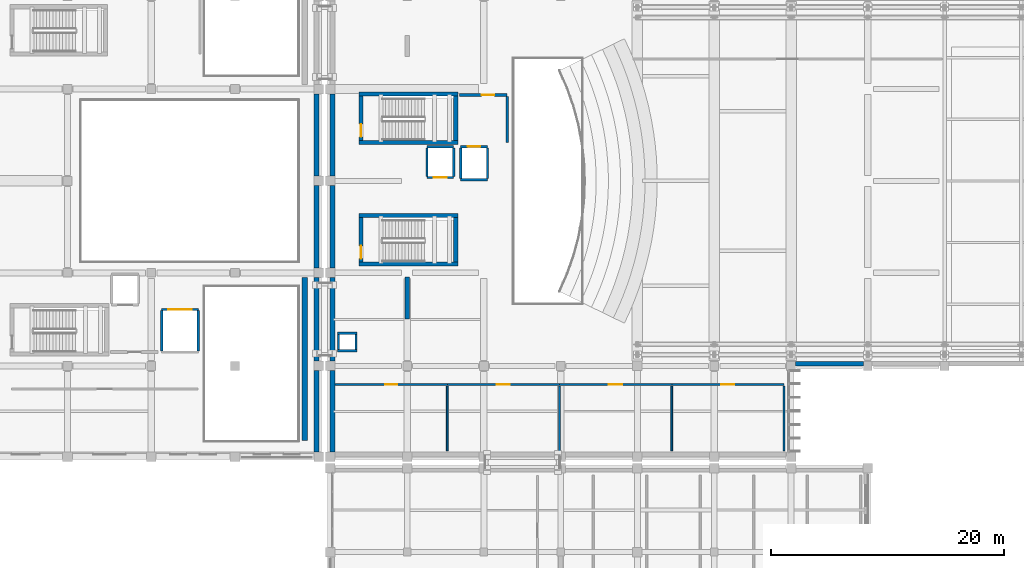
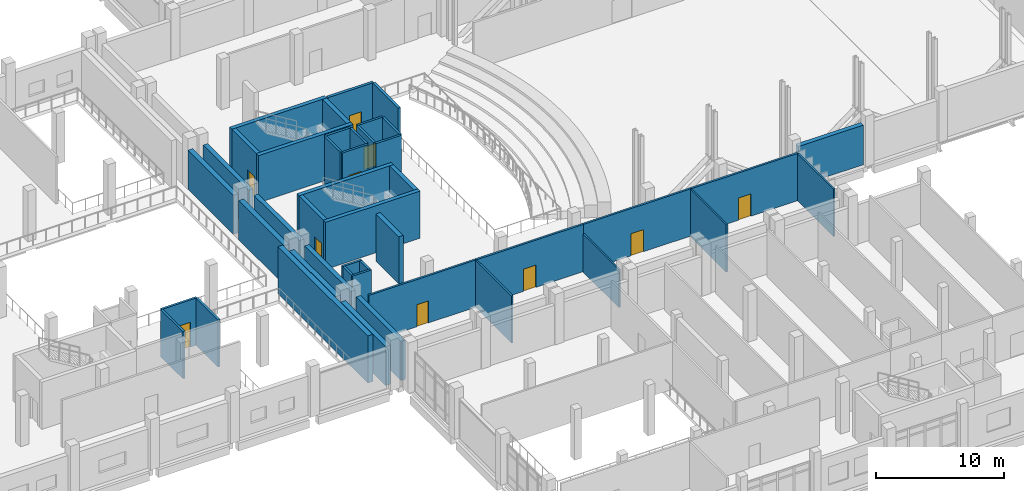
# One storey, part 52 of 73: 44 walls, 10 doors, 10 openings.
"""IFC4 building model written with IfcOpenShell, lengths in metres."""

from ifc_helpers import new_model, si_unit, direction, frame, frame_2d, origin, place, context, subcontext, project, spatial, rectangle, extrude, material, layer, layer_set, type_object, element, fill, save


model = new_model("IFC4")

# Units and contexts
model_context = context("Model", 3, precision=1e-05, world=origin(), true_north=direction((0.0, 1.0)))
body_context = subcontext(model_context, "Body", "Model", "MODEL_VIEW")
ifc_project = project(units=[si_unit("LENGTHUNIT", "METRE"), si_unit("AREAUNIT", "SQUARE_METRE"), si_unit("VOLUMEUNIT", "CUBIC_METRE"), si_unit("PLANEANGLEUNIT", "RADIAN"), si_unit("MASSUNIT", "GRAM", prefix="KILO")], contexts=[model_context])

# Site, building, storey
site_placement = place(None, origin())
site = spatial("IfcSite", under=ifc_project, at=site_placement, CompositionType="ELEMENT")
building_placement = place(site_placement, origin())
building = spatial("IfcBuilding", under=site, at=building_placement, Name="Kelarvand Opera House", CompositionType="ELEMENT")
storey_placement = place(building_placement, frame((0.0, 0.0, 10.199951171875)))
storey = spatial("IfcBuildingStorey", under=building, at=storey_placement, Name="L02", CompositionType="ELEMENT", Elevation=10.199951171875)

# Walls
ifc_material_1 = material(Name="Concrete C35/45", Category="concrete")
ifc_layer_1 = layer(ifc_material_1, 0.39990234375, Name="Concrete C35/45", Category="concrete")
ifc_layer_set_1 = layer_set([ifc_layer_1], Name="Concrete C35/45")
wall_type_1 = type_object("IfcWallType", Name="Acoustic Brick-Travertine Double Wall 400", PredefinedType="SOLIDWALL", material=ifc_layer_set_1)
wall_1_placement = place(storey_placement, frame((89.179931640625, 39.2099609375, 0.0), z_axis=(0.0, 0.0, 1.0), x_axis=(0.0, 1.0, 0.0)))
element("IfcWall", 1, at=wall_1_placement, inside=storey, type_object=wall_type_1, Name="V1 L02 Exterior Wall EW-400 (111)", PredefinedType="SOLIDWALL", context=body_context, shape_type="SweptSolid", body=[
    extrude(rectangle(XDim=6.97998046875, YDim=0.39990234375, at=frame_2d((3.489990234375, 0.0))), origin(), (0.0, 0.0, 1.0), 3.72216796875),
])
wall_2_placement = place(storey_placement, frame((89.179931640625, 47.010009765625, 0.0), z_axis=(0.0, 0.0, 1.0), x_axis=(0.0, 1.0, 0.0)))
element("IfcWall", 2, at=wall_2_placement, inside=storey, type_object=wall_type_1, Name="V1 L02 Exterior Wall EW-400 (112)", PredefinedType="SOLIDWALL", context=body_context, shape_type="SweptSolid", body=[
    extrude(rectangle(XDim=7.179931640625, YDim=0.39990234375, at=frame_2d((3.58984375, 0.0))), origin(), (0.0, 0.0, 1.0), 3.72216796875),
])
for number, where, z_axis, x_axis, name in (
    (3, (89.179931640625, 55.010009765625, 0.0), (0.0, 0.0, 1.0), (0.0, 1.0, 0.0), "V1 L02 Exterior Wall EW-400 (113)"),
    (4, (89.179931640625, 62.909912109375, 0.0), (0.0, 0.0, 1.0), (0.0, 1.0, 0.0), "V1 L02 Exterior Wall EW-400 (114)"),
):
    element("IfcWall", number, at=place(storey_placement, frame(where, z_axis=z_axis, x_axis=x_axis)), inside=storey, type_object=wall_type_1, Name=name, PredefinedType="SOLIDWALL", context=body_context, shape_type="SweptSolid", body=[
        extrude(rectangle(XDim=7.080078125, YDim=0.39990234375, at=frame_2d((3.5400390625, 0.0))), origin(), (0.0, 0.0, 1.0), 3.72216796875),
    ])
wall_3_placement = place(storey_placement, frame((134.824951171875, 46.780029296875, 0.0), z_axis=(0.0, 0.0, 1.0), x_axis=(-1.0, 0.0, 0.0)))
element("IfcWall", 5, at=wall_3_placement, inside=storey, type_object=wall_type_1, Name="V1 L02 Exterior Wall EW-400 (128)", PredefinedType="SOLIDWALL", context=body_context, shape_type="SweptSolid", body=[
    extrude(rectangle(XDim=5.849853515625, YDim=0.39990234375, at=frame_2d((2.9248046875, 0.0))), origin(), (0.0, 0.0, 1.0), 3.77197265625),
])
ifc_material_2 = material(Name="Concrete C40/50", Category="concrete")
ifc_layer_2 = layer(ifc_material_2, 0.449951171875, Name="Concrete C40/50", Category="concrete")
ifc_layer_set_2 = layer_set([ifc_layer_2], Name="Concrete C40/50")
wall_type_2 = type_object("IfcWallType", Name="Acoustic Proscenium Shear Wall 450", PredefinedType="SHEAR", material=ifc_layer_set_2)
wall_4_placement = place(storey_placement, frame((86.800048828125, 40.199951171875, 0.0), z_axis=(0.0, 0.0, 1.0), x_axis=(0.0, 1.0, 0.0)))
element("IfcWall", 6, at=wall_4_placement, inside=storey, type_object=wall_type_2, Name="V2 Shear Wall PW-120 L02", PredefinedType="SHEAR", context=body_context, shape_type="SweptSolid", body=[
    extrude(rectangle(XDim=14.0, YDim=0.449951171875, at=frame_2d((7.0, 0.0))), origin(), (0.0, 0.0, 1.0), 4.47998046875),
])
ifc_material_3 = material(Name="Acoustic double-stud gypsum partition")
ifc_layer_3 = layer(ifc_material_3, 0.14990234375, Name="Acoustic double-stud gypsum partition")
ifc_layer_set_3 = layer_set([ifc_layer_3], Name="Acoustic double-stud gypsum partition")
wall_type_3 = type_object("IfcWallType", Name="Acoustic Room Partition Wall 150", PredefinedType="PARTITIONING", material=ifc_layer_set_3)
wall_5_placement = place(storey_placement, frame((99.050048828125, 39.300048828125, 0.0), z_axis=(0.0, 0.0, 1.0), x_axis=(0.0, 1.0, 0.0)))
element("IfcWall", 7, at=wall_5_placement, inside=storey, type_object=wall_type_3, Name="V1 L02 Partition Wall IW-150 (477)", PredefinedType="PARTITIONING", context=body_context, shape_type="SweptSolid", body=[
    extrude(rectangle(XDim=5.56005859375, YDim=0.14990234375, at=frame_2d((2.780029296875, 0.0))), origin(), (0.0, 0.0, 1.0), 4.491943359375),
])
wall_6_placement = place(storey_placement, frame((108.699951171875, 39.300048828125, 0.0), z_axis=(0.0, 0.0, 1.0), x_axis=(0.0, 1.0, 0.0)))
element("IfcWall", 8, at=wall_6_placement, inside=storey, type_object=wall_type_3, Name="V1 L02 Partition Wall IW-150 (479)", PredefinedType="PARTITIONING", context=body_context, shape_type="SweptSolid", body=[
    extrude(rectangle(XDim=5.56005859375, YDim=0.14990234375, at=frame_2d((2.780029296875, 0.0))), origin(), (0.0, 0.0, 1.0), 3.6220703125),
])
for number, where, z_axis, x_axis, name in (
    (9, (118.35009765625, 39.300048828125, 0.0), (0.0, 0.0, 1.0), (0.0, 1.0, 0.0), "V1 L02 Partition Wall IW-150 (481)"),
    (10, (128.0, 39.300048828125, 0.0), (0.0, 0.0, 1.0), (0.0, 1.0, 0.0), "V1 L02 Partition Wall IW-150 (482)"),
):
    element("IfcWall", number, at=place(storey_placement, frame(where, z_axis=z_axis, x_axis=x_axis)), inside=storey, type_object=wall_type_3, Name=name, PredefinedType="PARTITIONING", context=body_context, shape_type="SweptSolid", body=[
        extrude(rectangle(XDim=5.56005859375, YDim=0.14990234375, at=frame_2d((2.780029296875, 0.0))), origin(), (0.0, 0.0, 1.0), 4.491943359375),
    ])
ifc_layer_4 = layer(ifc_material_2, 0.35009765625, Name="Concrete C40/50", Category="concrete")
ifc_layer_set_4 = layer_set([ifc_layer_4], Name="Concrete C40/50")
wall_type_4 = type_object("IfcWallType", Name="Core Stair and Lift Shear Wall 350", PredefinedType="SHEAR", material=ifc_layer_set_4)
for number, where, z_axis, x_axis, name in (
    (11, (91.449951171875, 65.824951171875, 0.0), (0.0, 0.0, 1.0), (1.0, 0.0, 0.0), "C1 Stair Core Shear Wall S L02"),
    (12, (99.949951171875, 69.97509765625, 0.0), (0.0, 0.0, 1.0), (-1.0, 0.0, 0.0), "C1 Stair Core Shear Wall N L02"),
):
    element("IfcWall", number, at=place(storey_placement, frame(where, z_axis=z_axis, x_axis=x_axis)), inside=storey, type_object=wall_type_4, Name=name, PredefinedType="SHEAR", context=body_context, shape_type="SweptSolid", body=[
        extrude(rectangle(XDim=8.5, YDim=0.35009765625, at=frame_2d((4.25, 0.0))), origin(), (0.0, 0.0, 1.0), 4.47998046875),
    ])

# Wall, opening, door
wall_7_placement = place(storey_placement, frame((91.625, 66.0, 0.0), z_axis=(0.0, 0.0, 1.0), x_axis=(0.0, 1.0, 0.0)))
wall_7 = element("IfcWall", 13, at=wall_7_placement, inside=storey, type_object=wall_type_4, Name="C1 Stair Core Shear Wall W L02", PredefinedType="SHEAR", context=body_context, shape_type="SweptSolid", body=[
    extrude(rectangle(XDim=3.800048828125, YDim=0.35009765625, at=frame_2d((1.89990234375, 0.0))), origin(), (0.0, 0.0, 1.0), 4.47998046875),
])
opening_1_placement = place(wall_7_placement, frame((0.280029296875, 0.0, 0.0)))
opening_1 = element("IfcOpeningElement", 14, at=opening_1_placement, cuts=wall_7, Name="Opening FD-01", PredefinedType="OPENING", context=body_context, shape_type="SweptSolid", body=[
    extrude(rectangle(XDim=1.10009765625, YDim=2.080078125, at=frame_2d((0.550048828125, 1.0400390625))), frame((0.0, 0.18505859375, 0.0), z_axis=(0.0, -1.0, 0.0), x_axis=(1.0, 0.0, 0.0)), (0.0, 0.0, 1.0), 0.3701171875),
])
ifc_material_4 = material(Name="Fire-rated brushed stainless steel", Category="steel")
door_type_1 = type_object("IfcDoorType", Name="Steel Fire-Rated Stair and FF Lobby Door 1100x2080", OperationType="NOTDEFINED", PredefinedType="DOOR", material=ifc_material_4)
door_1_placement = place(opening_1_placement, origin())
door_1 = element("IfcDoor", 15, at=door_1_placement, inside=storey, type_object=door_type_1, Name="C1 Stair ST-01 Fire Door L02", OperationType="SINGLE_SWING_RIGHT", OverallHeight=2.080078125, OverallWidth=1.10009765625, PredefinedType="DOOR", context=body_context, shape_type="SweptSolid", body=[
    extrude(rectangle(XDim=1.10009765625, YDim=2.080078125, at=frame_2d((0.550048828125, 1.0400390625))), frame((0.0, 0.02490234375, 0.0), z_axis=(0.0, -1.0, 0.0), x_axis=(1.0, 0.0, 0.0)), (0.0, 0.0, 1.0), 0.050048828125),
])
fill(opening_1, door_1)

# Walls
wall_8_placement = place(storey_placement, frame((99.77490234375, 69.800048828125, 0.0), z_axis=(0.0, 0.0, 1.0), x_axis=(0.0, -1.0, 0.0)))
element("IfcWall", 16, at=wall_8_placement, inside=storey, type_object=wall_type_4, Name="C1 Stair Core Shear Wall E L02", PredefinedType="SHEAR", context=body_context, shape_type="SweptSolid", body=[
    extrude(rectangle(XDim=3.800048828125, YDim=0.35009765625, at=frame_2d((1.89990234375, 0.0))), origin(), (0.0, 0.0, 1.0), 4.47998046875),
])
for number, where, z_axis, x_axis, name in (
    (17, (91.449951171875, 55.375, 0.0), (0.0, 0.0, 1.0), (1.0, 0.0, 0.0), "C4 Stair Core Shear Wall S L02"),
    (18, (99.949951171875, 59.52490234375, 0.0), (0.0, 0.0, 1.0), (-1.0, 0.0, 0.0), "C4 Stair Core Shear Wall N L02"),
):
    element("IfcWall", number, at=place(storey_placement, frame(where, z_axis=z_axis, x_axis=x_axis)), inside=storey, type_object=wall_type_4, Name=name, PredefinedType="SHEAR", context=body_context, shape_type="SweptSolid", body=[
        extrude(rectangle(XDim=8.5, YDim=0.35009765625, at=frame_2d((4.25, 0.0))), origin(), (0.0, 0.0, 1.0), 4.47998046875),
    ])

# Wall, opening, door
wall_9_placement = place(storey_placement, frame((91.625, 55.550048828125, 0.0), z_axis=(0.0, 0.0, 1.0), x_axis=(0.0, 1.0, 0.0)))
wall_9 = element("IfcWall", 19, at=wall_9_placement, inside=storey, type_object=wall_type_4, Name="C4 Stair Core Shear Wall W L02", PredefinedType="SHEAR", context=body_context, shape_type="SweptSolid", body=[
    extrude(rectangle(XDim=3.800048828125, YDim=0.35009765625, at=frame_2d((1.89990234375, 0.0))), origin(), (0.0, 0.0, 1.0), 4.47998046875),
])
opening_2_placement = place(wall_9_placement, frame((0.280029296875, 0.0, 0.0)))
opening_2 = element("IfcOpeningElement", 20, at=opening_2_placement, cuts=wall_9, Name="Opening FD-01", PredefinedType="OPENING", context=body_context, shape_type="SweptSolid", body=[
    extrude(rectangle(XDim=1.10009765625, YDim=2.080078125, at=frame_2d((0.550048828125, 1.0400390625))), frame((0.0, 0.18505859375, 0.0), z_axis=(0.0, -1.0, 0.0), x_axis=(1.0, 0.0, 0.0)), (0.0, 0.0, 1.0), 0.3701171875),
])
door_2_placement = place(opening_2_placement, origin())
door_2 = element("IfcDoor", 21, at=door_2_placement, inside=storey, type_object=door_type_1, Name="C4 Stair ST-04 Fire Door L02", OperationType="SINGLE_SWING_LEFT", OverallHeight=2.080078125, OverallWidth=1.10009765625, PredefinedType="DOOR", context=body_context, shape_type="SweptSolid", body=[
    extrude(rectangle(XDim=1.10009765625, YDim=2.080078125, at=frame_2d((0.550048828125, 1.0400390625))), frame((0.0, 0.02490234375, 0.0), z_axis=(0.0, -1.0, 0.0), x_axis=(1.0, 0.0, 0.0)), (0.0, 0.0, 1.0), 0.050048828125),
])
fill(opening_2, door_2)

# Wall
wall_10_placement = place(storey_placement, frame((99.77490234375, 59.35009765625, 0.0), z_axis=(0.0, 0.0, 1.0), x_axis=(0.0, -1.0, 0.0)))
element("IfcWall", 22, at=wall_10_placement, inside=storey, type_object=wall_type_4, Name="C4 Stair Core Shear Wall E L02", PredefinedType="SHEAR", context=body_context, shape_type="SweptSolid", body=[
    extrude(rectangle(XDim=3.800048828125, YDim=0.35009765625, at=frame_2d((1.89990234375, 0.0))), origin(), (0.0, 0.0, 1.0), 4.47998046875),
])

# Wall, opening, door
ifc_layer_5 = layer(ifc_material_1, 0.179931640625, Name="Concrete C35/45", Category="concrete")
ifc_layer_set_5 = layer_set([ifc_layer_5], Name="Concrete C35/45")
wall_type_5 = type_object("IfcWallType", Name="Corridor Fire-Rated Partition Wall 180 EI90", PredefinedType="PARTITIONING", material=ifc_layer_set_5)
wall_11_placement = place(storey_placement, frame((89.39990234375, 45.0, 0.0), z_axis=(0.0, 0.0, 1.0), x_axis=(1.0, 0.0, 0.0)))
wall_11 = element("IfcWall", 23, at=wall_11_placement, inside=storey, type_object=wall_type_5, Name="V1 L02 Partition Wall IW-90 (476)", PredefinedType="PARTITIONING", context=body_context, shape_type="SweptSolid", body=[
    extrude(rectangle(XDim=9.650146484375, YDim=0.179931640625, at=frame_2d((4.8251953125, 0.0))), origin(), (0.0, 0.0, 1.0), 4.491943359375),
])
opening_3_placement = place(wall_11_placement, frame((4.300048828125, 0.0, 0.0)))
opening_3 = element("IfcOpeningElement", 24, at=opening_3_placement, cuts=wall_11, Name="Opening D-02", PredefinedType="OPENING", context=body_context, shape_type="SweptSolid", body=[
    extrude(rectangle(XDim=1.050048828125, YDim=2.10009765625, at=frame_2d((0.52490234375, 1.050048828125))), frame((0.0, 0.10009765625, 0.0), z_axis=(0.0, -1.0, 0.0), x_axis=(1.0, 0.0, 0.0)), (0.0, 0.0, 1.0), 0.199951171875),
])
ifc_material_5 = material(Name="Acoustic walnut-veneered hardwood", Category="wood")
door_type_2 = type_object("IfcDoorType", Name="Acoustic Studio Single Door 1050x2100", OperationType="NOTDEFINED", PredefinedType="DOOR", material=ifc_material_5)
door_3_placement = place(opening_3_placement, origin())
door_3 = element("IfcDoor", 25, at=door_3_placement, inside=storey, type_object=door_type_2, Name="V1 L02 Door D-02 (210)", OperationType="SINGLE_SWING_LEFT", OverallHeight=2.10009765625, OverallWidth=1.050048828125, PredefinedType="DOOR", context=body_context, shape_type="SweptSolid", body=[
    extrude(rectangle(XDim=1.050048828125, YDim=2.10009765625, at=frame_2d((0.52490234375, 1.050048828125))), frame((0.0, 0.02490234375, 0.0), z_axis=(0.0, -1.0, 0.0), x_axis=(1.0, 0.0, 0.0)), (0.0, 0.0, 1.0), 0.050048828125),
])
fill(opening_3, door_3)

wall_12_placement = place(storey_placement, frame((99.050048828125, 45.0, 0.0), z_axis=(0.0, 0.0, 1.0), x_axis=(1.0, 0.0, 0.0)))
wall_12 = element("IfcWall", 26, at=wall_12_placement, inside=storey, type_object=wall_type_5, Name="V1 L02 Partition Wall IW-90 (478)", PredefinedType="PARTITIONING", context=body_context, shape_type="SweptSolid", body=[
    extrude(rectangle(XDim=9.64990234375, YDim=0.179931640625, at=frame_2d((4.824951171875, 0.0))), origin(), (0.0, 0.0, 1.0), 4.491943359375),
])
opening_4_placement = place(wall_12_placement, frame((4.264892578125, 0.0, 0.0)))
opening_4 = element("IfcOpeningElement", 27, at=opening_4_placement, cuts=wall_12, Name="Opening D-10", PredefinedType="OPENING", context=body_context, shape_type="SweptSolid", body=[
    extrude(rectangle(XDim=1.1201171875, YDim=2.1201171875, at=frame_2d((0.56005859375, 1.06005859375))), frame((0.0, 0.10009765625, 0.0), z_axis=(0.0, -1.0, 0.0), x_axis=(1.0, 0.0, 0.0)), (0.0, 0.0, 1.0), 0.199951171875),
])
door_type_3 = type_object("IfcDoorType", Name="Chorus Studio Single Door 1120x2120", OperationType="NOTDEFINED", PredefinedType="DOOR", material=ifc_material_5)
door_4_placement = place(opening_4_placement, origin())
door_4 = element("IfcDoor", 28, at=door_4_placement, inside=storey, type_object=door_type_3, Name="V1 L02 Door D-10 (211)", OperationType="SINGLE_SWING_RIGHT", OverallHeight=2.1201171875, OverallWidth=1.1201171875, PredefinedType="DOOR", context=body_context, shape_type="SweptSolid", body=[
    extrude(rectangle(XDim=1.1201171875, YDim=2.1201171875, at=frame_2d((0.56005859375, 1.06005859375))), frame((0.0, 0.02490234375, 0.0), z_axis=(0.0, -1.0, 0.0), x_axis=(1.0, 0.0, 0.0)), (0.0, 0.0, 1.0), 0.050048828125),
])
fill(opening_4, door_4)

wall_13_placement = place(storey_placement, frame((108.699951171875, 45.0, 0.0), z_axis=(0.0, 0.0, 1.0), x_axis=(1.0, 0.0, 0.0)))
wall_13 = element("IfcWall", 29, at=wall_13_placement, inside=storey, type_object=wall_type_5, Name="V1 L02 Partition Wall IW-90 (480)", PredefinedType="PARTITIONING", context=body_context, shape_type="SweptSolid", body=[
    extrude(rectangle(XDim=9.650146484375, YDim=0.179931640625, at=frame_2d((4.8251953125, 0.0))), origin(), (0.0, 0.0, 1.0), 4.491943359375),
])
opening_5_placement = place(wall_13_placement, frame((4.2451171875, 0.0, 0.0)))
opening_5 = element("IfcOpeningElement", 30, at=opening_5_placement, cuts=wall_13, Name="Opening D-20", PredefinedType="OPENING", context=body_context, shape_type="SweptSolid", body=[
    extrude(rectangle(XDim=1.159912109375, YDim=2.10009765625, at=frame_2d((0.580078125, 1.050048828125))), frame((0.0, 0.10009765625, 0.0), z_axis=(0.0, -1.0, 0.0), x_axis=(1.0, 0.0, 0.0)), (0.0, 0.0, 1.0), 0.199951171875),
])
door_type_4 = type_object("IfcDoorType", Name="Library Reading Room Door 1160x2100", OperationType="NOTDEFINED", PredefinedType="DOOR", material=ifc_material_5)
door_5_placement = place(opening_5_placement, origin())
door_5 = element("IfcDoor", 31, at=door_5_placement, inside=storey, type_object=door_type_4, Name="V1 L02 Door D-20 (212)", OperationType="SINGLE_SWING_LEFT", OverallHeight=2.10009765625, OverallWidth=1.159912109375, PredefinedType="DOOR", context=body_context, shape_type="SweptSolid", body=[
    extrude(rectangle(XDim=1.159912109375, YDim=2.10009765625, at=frame_2d((0.580078125, 1.050048828125))), frame((0.0, 0.02490234375, 0.0), z_axis=(0.0, -1.0, 0.0), x_axis=(1.0, 0.0, 0.0)), (0.0, 0.0, 1.0), 0.050048828125),
])
fill(opening_5, door_5)

wall_14_placement = place(storey_placement, frame((118.35009765625, 45.0, 0.0), z_axis=(0.0, 0.0, 1.0), x_axis=(1.0, 0.0, 0.0)))
wall_14 = element("IfcWall", 32, at=wall_14_placement, inside=storey, type_object=wall_type_5, Name="V1 L02 Partition Wall IW-90 (483)", PredefinedType="PARTITIONING", context=body_context, shape_type="SweptSolid", body=[
    extrude(rectangle(XDim=9.64990234375, YDim=0.179931640625, at=frame_2d((4.824951171875, 0.0))), origin(), (0.0, 0.0, 1.0), 4.491943359375),
])
opening_6_placement = place(wall_14_placement, frame((4.264892578125, 0.0, 0.0)))
opening_6 = element("IfcOpeningElement", 33, at=opening_6_placement, cuts=wall_14, Name="Opening D-10", PredefinedType="OPENING", context=body_context, shape_type="SweptSolid", body=[
    extrude(rectangle(XDim=1.1201171875, YDim=2.1201171875, at=frame_2d((0.56005859375, 1.06005859375))), frame((0.0, 0.10009765625, 0.0), z_axis=(0.0, -1.0, 0.0), x_axis=(1.0, 0.0, 0.0)), (0.0, 0.0, 1.0), 0.199951171875),
])
door_6_placement = place(opening_6_placement, origin())
door_6 = element("IfcDoor", 34, at=door_6_placement, inside=storey, type_object=door_type_3, Name="V1 L02 Door D-10 (213)", OperationType="SINGLE_SWING_RIGHT", OverallHeight=2.1201171875, OverallWidth=1.1201171875, PredefinedType="DOOR", context=body_context, shape_type="SweptSolid", body=[
    extrude(rectangle(XDim=1.1201171875, YDim=2.1201171875, at=frame_2d((0.56005859375, 1.06005859375))), frame((0.0, 0.02490234375, 0.0), z_axis=(0.0, -1.0, 0.0), x_axis=(1.0, 0.0, 0.0)), (0.0, 0.0, 1.0), 0.050048828125),
])
fill(opening_6, door_6)

ifc_layer_6 = layer(ifc_material_1, 0.239990234375, Name="Concrete C35/45", Category="concrete")
ifc_layer_set_6 = layer_set([ifc_layer_6], Name="Concrete C35/45")
wall_type_6 = type_object("IfcWallType", Name="Firefighting Lobby Partition Wall 240 EI120", PredefinedType="PARTITIONING", material=ifc_layer_set_6)
wall_15_placement = place(storey_placement, frame((104.199951171875, 69.89990234375, 0.0), z_axis=(0.0, 0.0, 1.0), x_axis=(-1.0, 0.0, 0.0)))
wall_15 = element("IfcWall", 35, at=wall_15_placement, inside=storey, type_object=wall_type_6, Name="V1 L02 Partition Wall IW-120 (448)", PredefinedType="PARTITIONING", context=body_context, shape_type="SweptSolid", body=[
    extrude(rectangle(XDim=4.099853515625, YDim=0.239990234375, at=frame_2d((2.0498046875, 0.0))), origin(), (0.0, 0.0, 1.0), 4.47216796875),
])
opening_7_placement = place(wall_15_placement, frame((1.10009765625, 0.0, 0.0)))
opening_7 = element("IfcOpeningElement", 36, at=opening_7_placement, cuts=wall_15, Name="Opening FD-01", PredefinedType="OPENING", context=body_context, shape_type="SweptSolid", body=[
    extrude(rectangle(XDim=1.10009765625, YDim=2.080078125, at=frame_2d((0.550048828125, 1.0400390625))), frame((0.0, 0.1298828125, 0.0), z_axis=(0.0, -1.0, 0.0), x_axis=(1.0, 0.0, 0.0)), (0.0, 0.0, 1.0), 0.260009765625),
])
door_7_placement = place(opening_7_placement, origin())
door_7 = element("IfcDoor", 37, at=door_7_placement, inside=storey, type_object=door_type_1, Name="V1 L02 Door FD-01 (200)", OperationType="SINGLE_SWING_LEFT", OverallHeight=2.080078125, OverallWidth=1.10009765625, PredefinedType="DOOR", context=body_context, shape_type="SweptSolid", body=[
    extrude(rectangle(XDim=1.10009765625, YDim=2.080078125, at=frame_2d((0.550048828125, 1.0400390625))), frame((0.0, 0.02490234375, 0.0), z_axis=(0.0, -1.0, 0.0), x_axis=(1.0, 0.0, 0.0)), (0.0, 0.0, 1.0), 0.050048828125),
])
fill(opening_7, door_7)

# Walls
wall_16_placement = place(storey_placement, frame((104.199951171875, 69.760009765625, 0.0), z_axis=(0.0, 0.0, 1.0), x_axis=(0.0, -1.0, 0.0)))
element("IfcWall", 38, at=wall_16_placement, inside=storey, type_object=wall_type_6, Name="V1 L02 Partition Wall IW-120 (449)", PredefinedType="PARTITIONING", context=body_context, shape_type="SweptSolid", body=[
    extrude(rectangle(XDim=3.9599609375, YDim=0.239990234375, at=frame_2d((1.97998046875, 0.0))), origin(), (0.0, 0.0, 1.0), 4.47216796875),
])
ifc_layer_7 = layer(ifc_material_1, 0.199951171875, Name="Concrete C35/45", Category="concrete")
ifc_layer_set_7 = layer_set([ifc_layer_7], Name="Concrete C35/45")
wall_type_7 = type_object("IfcWallType", Name="Lift and Riser Shaft Enclosure Wall 200 EI120", PredefinedType="PARTITIONING", material=ifc_layer_set_7)
for number, where, z_axis, x_axis, name in (
    (39, (89.60009765625, 47.89990234375, 0.0), (0.0, 0.0, 1.0), (1.0, 0.0, 0.0), "RSR-V1 L02 Riser Shaft Wall 17"),
    (40, (91.300048828125, 49.39990234375, 0.0), (0.0, 0.0, 1.0), (-1.0, 0.0, 0.0), "RSR-V1 L02 Riser Shaft Wall 18"),
):
    element("IfcWall", number, at=place(storey_placement, frame(where, z_axis=z_axis, x_axis=x_axis)), inside=storey, type_object=wall_type_7, Name=name, PredefinedType="PARTITIONING", context=body_context, shape_type="SweptSolid", body=[
        extrude(rectangle(XDim=1.699951171875, YDim=0.199951171875, at=frame_2d((0.85009765625, 0.0))), origin(), (0.0, 0.0, 1.0), 4.5),
    ])
for number, where, z_axis, x_axis, name in (
    (41, (89.699951171875, 48.0, 0.0), (0.0, 0.0, 1.0), (0.0, 1.0, 0.0), "RSR-V1 L02 Riser Shaft Wall 19"),
    (42, (91.199951171875, 49.300048828125, 0.0), (0.0, 0.0, 1.0), (0.0, -1.0, 0.0), "RSR-V1 L02 Riser Shaft Wall 20"),
):
    element("IfcWall", number, at=place(storey_placement, frame(where, z_axis=z_axis, x_axis=x_axis)), inside=storey, type_object=wall_type_7, Name=name, PredefinedType="PARTITIONING", context=body_context, shape_type="SweptSolid", body=[
        extrude(rectangle(XDim=1.300048828125, YDim=0.199951171875, at=frame_2d((0.64990234375, 0.0))), origin(), (0.0, 0.0, 1.0), 4.5),
    ])
wall_17_placement = place(storey_placement, frame((100.199951171875, 62.60009765625, 0.0), z_axis=(0.0, 0.0, 1.0), x_axis=(1.0, 0.0, 0.0)))
element("IfcWall", 43, at=wall_17_placement, inside=storey, type_object=wall_type_7, Name="V1 L02 Partition Wall SW-200 (440)", PredefinedType="PARTITIONING", context=body_context, shape_type="SweptSolid", body=[
    extrude(rectangle(XDim=2.300048828125, YDim=0.199951171875, at=frame_2d((1.14990234375, 0.0))), origin(), (0.0, 0.0, 1.0), 4.47216796875),
])

# Wall, opening, door
wall_18_placement = place(storey_placement, frame((102.5, 65.449951171875, 0.0), z_axis=(0.0, 0.0, 1.0), x_axis=(-1.0, 0.0, 0.0)))
wall_18 = element("IfcWall", 44, at=wall_18_placement, inside=storey, type_object=wall_type_7, Name="V1 L02 Partition Wall SW-200 (441)", PredefinedType="PARTITIONING", context=body_context, shape_type="SweptSolid", body=[
    extrude(rectangle(XDim=2.300048828125, YDim=0.199951171875, at=frame_2d((1.14990234375, 0.0))), origin(), (0.0, 0.0, 1.0), 4.47216796875),
])
opening_8_placement = place(wall_18_placement, frame((0.60009765625, 0.0, 0.0)))
opening_8 = element("IfcOpeningElement", 45, at=opening_8_placement, cuts=wall_18, Name="Opening LD-01", PredefinedType="OPENING", context=body_context, shape_type="SweptSolid", body=[
    extrude(rectangle(XDim=1.10009765625, YDim=2.14990234375, at=frame_2d((0.550048828125, 1.074951171875))), frame((0.0, 0.10986328125, 0.0), z_axis=(0.0, -1.0, 0.0), x_axis=(1.0, 0.0, 0.0)), (0.0, 0.0, 1.0), 0.219970703125),
])
door_type_5 = type_object("IfcDoorType", Name="Passenger Lift Sliding Landing Door 1100x2150", OperationType="SLIDING_TO_LEFT", PredefinedType="DOOR", material=ifc_material_4)
door_8_placement = place(opening_8_placement, origin())
door_8 = element("IfcDoor", 46, at=door_8_placement, inside=storey, type_object=door_type_5, Name="V1 L02 Door LD-01 (198)", OperationType="SLIDING_TO_LEFT", OverallHeight=2.14990234375, OverallWidth=1.10009765625, PredefinedType="DOOR", context=body_context, shape_type="SweptSolid", body=[
    extrude(rectangle(XDim=1.10009765625, YDim=2.14990234375, at=frame_2d((0.550048828125, 1.074951171875))), frame((0.0, 0.02490234375, 0.0), z_axis=(0.0, -1.0, 0.0), x_axis=(1.0, 0.0, 0.0)), (0.0, 0.0, 1.0), 0.050048828125),
])
fill(opening_8, door_8)

# Walls
for number, where, z_axis, x_axis, name in (
    (47, (100.199951171875, 62.699951171875, 0.0), (0.0, 0.0, 1.0), (0.0, 1.0, 0.0), "V1 L02 Partition Wall SW-200 (442)"),
    (48, (102.5, 65.35009765625, 0.0), (0.0, 0.0, 1.0), (0.0, -1.0, 0.0), "V1 L02 Partition Wall SW-200 (443)"),
):
    element("IfcWall", number, at=place(storey_placement, frame(where, z_axis=z_axis, x_axis=x_axis)), inside=storey, type_object=wall_type_7, Name=name, PredefinedType="PARTITIONING", context=body_context, shape_type="SweptSolid", body=[
        extrude(rectangle(XDim=2.650146484375, YDim=0.199951171875, at=frame_2d((1.3251953125, 0.0))), origin(), (0.0, 0.0, 1.0), 4.47216796875),
    ])

# Wall, opening, door
wall_19_placement = place(storey_placement, frame((97.300048828125, 62.800048828125, 0.0), z_axis=(0.0, 0.0, 1.0), x_axis=(1.0, 0.0, 0.0)))
wall_19 = element("IfcWall", 49, at=wall_19_placement, inside=storey, type_object=wall_type_7, Name="V1 L02 Partition Wall SW-200 (444)", PredefinedType="PARTITIONING", context=body_context, shape_type="SweptSolid", body=[
    extrude(rectangle(XDim=2.300048828125, YDim=0.199951171875, at=frame_2d((1.14990234375, 0.0))), origin(), (0.0, 0.0, 1.0), 4.47216796875),
])
opening_9_placement = place(wall_19_placement, frame((0.60009765625, 0.0, 0.0)))
opening_9 = element("IfcOpeningElement", 50, at=opening_9_placement, cuts=wall_19, Name="Opening LD-01", PredefinedType="OPENING", context=body_context, shape_type="SweptSolid", body=[
    extrude(rectangle(XDim=1.10009765625, YDim=2.14990234375, at=frame_2d((0.550048828125, 1.074951171875))), frame((0.0, 0.10986328125, 0.0), z_axis=(0.0, -1.0, 0.0), x_axis=(1.0, 0.0, 0.0)), (0.0, 0.0, 1.0), 0.219970703125),
])
door_9_placement = place(opening_9_placement, origin())
door_9 = element("IfcDoor", 51, at=door_9_placement, inside=storey, type_object=door_type_5, Name="V1 L02 Door LD-01 (199)", OperationType="SLIDING_TO_LEFT", OverallHeight=2.14990234375, OverallWidth=1.10009765625, PredefinedType="DOOR", context=body_context, shape_type="SweptSolid", body=[
    extrude(rectangle(XDim=1.10009765625, YDim=2.14990234375, at=frame_2d((0.550048828125, 1.074951171875))), frame((0.0, 0.02490234375, 0.0), z_axis=(0.0, -1.0, 0.0), x_axis=(1.0, 0.0, 0.0)), (0.0, 0.0, 1.0), 0.050048828125),
])
fill(opening_9, door_9)

# Walls
wall_20_placement = place(storey_placement, frame((99.60009765625, 65.449951171875, 0.0), z_axis=(0.0, 0.0, 1.0), x_axis=(-1.0, 0.0, 0.0)))
element("IfcWall", 52, at=wall_20_placement, inside=storey, type_object=wall_type_7, Name="V1 L02 Partition Wall SW-200 (445)", PredefinedType="PARTITIONING", context=body_context, shape_type="SweptSolid", body=[
    extrude(rectangle(XDim=2.300048828125, YDim=0.199951171875, at=frame_2d((1.14990234375, 0.0))), origin(), (0.0, 0.0, 1.0), 4.47216796875),
])
for number, where, z_axis, x_axis, name in (
    (53, (97.300048828125, 62.89990234375, 0.0), (0.0, 0.0, 1.0), (0.0, 1.0, 0.0), "V1 L02 Partition Wall SW-200 (446)"),
    (54, (99.60009765625, 65.35009765625, 0.0), (0.0, 0.0, 1.0), (0.0, -1.0, 0.0), "V1 L02 Partition Wall SW-200 (447)"),
):
    element("IfcWall", number, at=place(storey_placement, frame(where, z_axis=z_axis, x_axis=x_axis)), inside=storey, type_object=wall_type_7, Name=name, PredefinedType="PARTITIONING", context=body_context, shape_type="SweptSolid", body=[
        extrude(rectangle(XDim=2.4501953125, YDim=0.199951171875, at=frame_2d((1.22509765625, 0.0))), origin(), (0.0, 0.0, 1.0), 4.47216796875),
    ])

# Wall, opening, door
wall_21_placement = place(storey_placement, frame((77.64990234375, 51.449951171875, 0.0), z_axis=(0.0, 0.0, 1.0), x_axis=(-1.0, 0.0, 0.0)))
wall_21 = element("IfcWall", 55, at=wall_21_placement, inside=storey, type_object=wall_type_7, Name="V2 L02 Partition Wall SW-200 (455)", PredefinedType="PARTITIONING", context=body_context, shape_type="SweptSolid", body=[
    extrude(rectangle(XDim=3.14990234375, YDim=0.199951171875, at=frame_2d((1.574951171875, 0.0))), origin(), (0.0, 0.0, 1.0), 4.47216796875),
])
opening_10_placement = place(wall_21_placement, frame((0.574951171875, 0.0, 0.0)))
opening_10 = element("IfcOpeningElement", 56, at=opening_10_placement, cuts=wall_21, Name="Opening LD-03", PredefinedType="OPENING", context=body_context, shape_type="SweptSolid", body=[
    extrude(rectangle(XDim=2.0, YDim=2.35009765625, at=frame_2d((1.0, 1.175048828125))), frame((0.0, 0.10986328125, 0.0), z_axis=(0.0, -1.0, 0.0), x_axis=(1.0, 0.0, 0.0)), (0.0, 0.0, 1.0), 0.219970703125),
])
door_type_6 = type_object("IfcDoorType", Name="Scenery Goods Lift Sliding Landing Door 2000x2350", OperationType="SLIDING_TO_LEFT", PredefinedType="DOOR", material=ifc_material_4)
door_10_placement = place(opening_10_placement, origin())
door_10 = element("IfcDoor", 57, at=door_10_placement, inside=storey, type_object=door_type_6, Name="V2 L02 Door LD-03 (202)", OperationType="SLIDING_TO_LEFT", OverallHeight=2.35009765625, OverallWidth=2.0, PredefinedType="DOOR", context=body_context, shape_type="SweptSolid", body=[
    extrude(rectangle(XDim=2.0, YDim=2.35009765625, at=frame_2d((1.0, 1.175048828125))), frame((0.0, 0.02490234375, 0.0), z_axis=(0.0, -1.0, 0.0), x_axis=(1.0, 0.0, 0.0)), (0.0, 0.0, 1.0), 0.050048828125),
])
fill(opening_10, door_10)

# Walls
for number, where, z_axis, x_axis, name in (
    (58, (74.5, 47.89990234375, 0.0), (0.0, 0.0, 1.0), (0.0, 1.0, 0.0), "V2 L02 Partition Wall SW-200 (456)"),
    (59, (77.64990234375, 51.35009765625, 0.0), (0.0, 0.0, 1.0), (0.0, -1.0, 0.0), "V2 L02 Partition Wall SW-200 (457)"),
):
    element("IfcWall", number, at=place(storey_placement, frame(where, z_axis=z_axis, x_axis=x_axis)), inside=storey, type_object=wall_type_7, Name=name, PredefinedType="PARTITIONING", context=body_context, shape_type="SweptSolid", body=[
        extrude(rectangle(XDim=3.4501953125, YDim=0.199951171875, at=frame_2d((1.72509765625, 0.0))), origin(), (0.0, 0.0, 1.0), 4.47216796875),
    ])
ifc_layer_8 = layer(ifc_material_2, 0.39990234375, Name="Concrete C40/50", Category="concrete")
ifc_layer_set_8 = layer_set([ifc_layer_8], Name="Concrete C40/50")
wall_type_8 = type_object("IfcWallType", Name="Seismic Compartment Shear Wall 400", PredefinedType="SHEAR", material=ifc_layer_set_8)
wall_22_placement = place(storey_placement, frame((95.60009765625, 50.64990234375, 0.0), z_axis=(0.0, 0.0, 1.0), x_axis=(0.0, 1.0, 0.0)))
element("IfcWall", 60, at=wall_22_placement, inside=storey, type_object=wall_type_8, Name="V1 Shear Wall CW-120 L02", PredefinedType="SHEAR", context=body_context, shape_type="SweptSolid", body=[
    extrude(rectangle(XDim=3.5751953125, YDim=0.39990234375, at=frame_2d((1.78759765625, 0.0))), origin(), (0.0, 0.0, 1.0), 4.47998046875),
])
ifc_layer_9 = layer(ifc_material_1, 0.43994140625, Name="Concrete C35/45", Category="concrete")
ifc_layer_set_9 = layer_set([ifc_layer_9], Name="Concrete C35/45")
wall_type_9 = type_object("IfcWallType", Name="Stage House Acoustic Cavity Wall 440", PredefinedType="SOLIDWALL", material=ifc_layer_set_9)
for number, where, z_axis, x_axis, name in (
    (61, (87.820068359375, 69.989990234375, 0.0), (0.0, 0.0, 1.0), (0.0, -1.0, 0.0), "V2 L02 Exterior Wall EW-440 (260)"),
    (62, (87.820068359375, 62.090087890625, 0.0), (0.0, 0.0, 1.0), (0.0, -1.0, 0.0), "V2 L02 Exterior Wall EW-440 (261)"),
):
    element("IfcWall", number, at=place(storey_placement, frame(where, z_axis=z_axis, x_axis=x_axis)), inside=storey, type_object=wall_type_9, Name=name, PredefinedType="SOLIDWALL", context=body_context, shape_type="SweptSolid", body=[
        extrude(rectangle(XDim=7.080078125, YDim=0.43994140625, at=frame_2d((3.5400390625, 0.0))), origin(), (0.0, 0.0, 1.0), 3.72216796875),
    ])
wall_23_placement = place(storey_placement, frame((87.820068359375, 54.18994140625, 0.0), z_axis=(0.0, 0.0, 1.0), x_axis=(0.0, -1.0, 0.0)))
element("IfcWall", 63, at=wall_23_placement, inside=storey, type_object=wall_type_9, Name="V2 L02 Exterior Wall EW-440 (262)", PredefinedType="SOLIDWALL", context=body_context, shape_type="SweptSolid", body=[
    extrude(rectangle(XDim=7.179931640625, YDim=0.43994140625, at=frame_2d((3.58984375, 0.0))), origin(), (0.0, 0.0, 1.0), 3.72216796875),
])
wall_24_placement = place(storey_placement, frame((87.820068359375, 46.18994140625, 0.0), z_axis=(0.0, 0.0, 1.0), x_axis=(0.0, -1.0, 0.0)))
element("IfcWall", 64, at=wall_24_placement, inside=storey, type_object=wall_type_9, Name="V2 L02 Exterior Wall EW-440 (263)", PredefinedType="SOLIDWALL", context=body_context, shape_type="SweptSolid", body=[
    extrude(rectangle(XDim=6.97998046875, YDim=0.43994140625, at=frame_2d((3.489990234375, 0.0))), origin(), (0.0, 0.0, 1.0), 3.72216796875),
])

save(model, "model.ifc")
